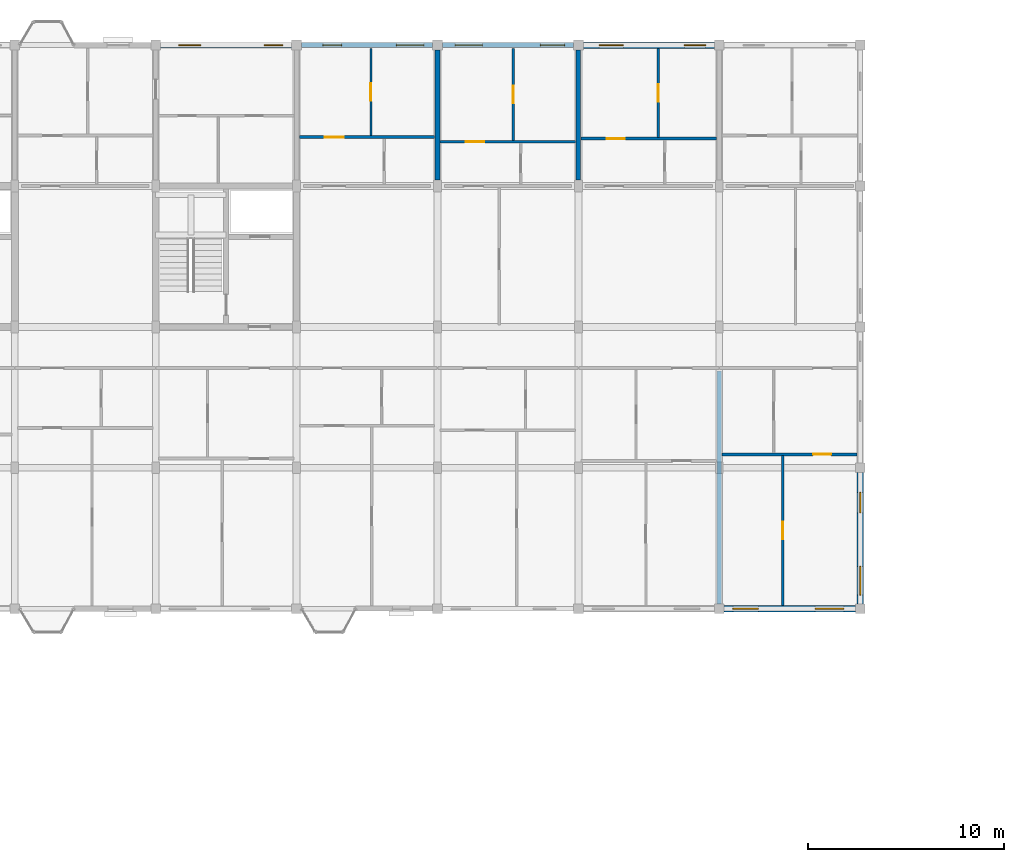
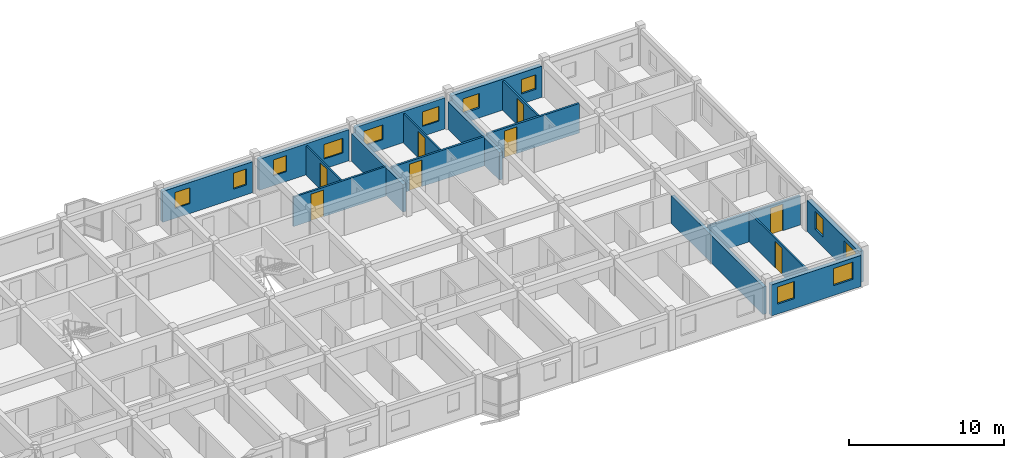
# One storey, part 64 of 70: 17 walls, 12 windows, 8 doors, 20 openings.
"""IFC4 building model written with IfcOpenShell, lengths in metres."""

from ifc_helpers import new_model, si_unit, direction, frame, frame_2d, origin, place, context, subcontext, project, spatial, rectangle, extrude, material, layer, layer_set, type_object, element, fill, save


model = new_model("IFC4")

# Units and contexts
model_context = context("Model", 3, precision=1e-05, world=origin(), true_north=direction((0.0, 1.0)))
body_context = subcontext(model_context, "Body", "Model", "MODEL_VIEW")
ifc_project = project(units=[si_unit("LENGTHUNIT", "METRE"), si_unit("AREAUNIT", "SQUARE_METRE"), si_unit("VOLUMEUNIT", "CUBIC_METRE"), si_unit("PLANEANGLEUNIT", "RADIAN"), si_unit("MASSUNIT", "GRAM", prefix="KILO"), si_unit("THERMODYNAMICTEMPERATUREUNIT", "KELVIN"), si_unit("POWERUNIT", "WATT")], contexts=[model_context])

# Site, building, storey
site_placement = place(None, origin())
site = spatial("IfcSite", under=ifc_project, at=site_placement, CompositionType="ELEMENT")
building_placement = place(site_placement, origin())
building = spatial("IfcBuilding", under=site, at=building_placement, Name="Tavuni Mirador Residences", CompositionType="ELEMENT")
storey_placement = place(building_placement, frame((0.0, 0.0, 23.39990234375)))
storey = spatial("IfcBuildingStorey", under=building, at=storey_placement, Name="L07", CompositionType="ELEMENT", Elevation=23.39990234375)

# Wall, openings, windows
ifc_material_1 = material(Name="Precast concrete C40/50", Category="concrete")
ifc_layer_1 = layer(ifc_material_1, 0.330078125, Name="Precast concrete C40/50", Category="concrete")
ifc_layer_set_1 = layer_set([ifc_layer_1], Name="Precast concrete C40/50")
wall_type_1 = type_object("IfcWallType", Name="WT-EXT-COR330", PredefinedType="SOLIDWALL", material=ifc_layer_set_1)
wall_1_placement = place(storey_placement, frame((75.60009765625, 144.25, 0.0), z_axis=(0.0, 0.0, 1.0), x_axis=(0.0, 1.0, 0.0)))
wall_1 = element("IfcWall", 1, at=wall_1_placement, inside=storey, type_object=wall_type_1, Name="EW-BLK-C-L07-E00", PredefinedType="SOLIDWALL", context=body_context, shape_type="SweptSolid", body=[
    extrude(rectangle(XDim=6.699951171875, YDim=0.330078125, at=frame_2d((3.35009765625, 0.0))), origin(), (0.0, 0.0, 1.0), 2.455078125),
])
opening_1_placement = place(wall_1_placement, frame((0.449951171875, 0.0, 0.780029296875)))
opening_1 = element("IfcOpeningElement", 2, at=opening_1_placement, cuts=wall_1, Name="Opening WN-24", PredefinedType="OPENING", context=body_context, shape_type="SweptSolid", body=[
    extrude(rectangle(XDim=1.4599609375, YDim=1.360107421875, at=frame_2d((0.72998046875, 0.68017578125))), frame((0.0, 0.175048828125, 0.0), z_axis=(0.0, -1.0, 0.0), x_axis=(1.0, 0.0, 0.0)), (0.0, 0.0, 1.0), 0.35009765625),
])
opening_2_placement = place(wall_1_placement, frame((4.64990234375, 0.0, 0.780029296875)))
opening_2 = element("IfcOpeningElement", 3, at=opening_2_placement, cuts=wall_1, Name="Opening WN-26", PredefinedType="OPENING", context=body_context, shape_type="SweptSolid", body=[
    extrude(rectangle(XDim=1.050048828125, YDim=1.43994140625, at=frame_2d((0.52490234375, 0.719970703125))), frame((0.0, 0.175048828125, 0.0), z_axis=(0.0, -1.0, 0.0), x_axis=(1.0, 0.0, 0.0)), (0.0, 0.0, 1.0), 0.35009765625),
])
ifc_material_2 = material(Name="Laminated solar-control glass", Category="glass")
window_type_1 = type_object("IfcWindowType", Name="WNT-24", PartitioningType="SINGLE_PANEL", PredefinedType="WINDOW", material=ifc_material_2)
window_1_placement = place(opening_1_placement, origin())
window_1 = element("IfcWindow", 4, at=window_1_placement, inside=storey, type_object=window_type_1, Name="WIN-1156", OverallHeight=1.360107421875, OverallWidth=1.4599609375, PartitioningType="SINGLE_PANEL", PredefinedType="WINDOW", context=body_context, shape_type="SweptSolid", body=[
    extrude(rectangle(XDim=1.4599609375, YDim=1.360107421875, at=frame_2d((0.72998046875, 0.68017578125))), frame((0.0, 0.030029296875, 0.0), z_axis=(0.0, -1.0, 0.0), x_axis=(1.0, 0.0, 0.0)), (0.0, 0.0, 1.0), 0.06005859375),
])
fill(opening_1, window_1)
window_type_2 = type_object("IfcWindowType", Name="WNT-26", PartitioningType="SINGLE_PANEL", PredefinedType="WINDOW", material=ifc_material_2)
window_2_placement = place(opening_2_placement, origin())
window_2 = element("IfcWindow", 5, at=window_2_placement, inside=storey, type_object=window_type_2, Name="WIN-1157", OverallHeight=1.43994140625, OverallWidth=1.050048828125, PartitioningType="SINGLE_PANEL", PredefinedType="WINDOW", context=body_context, shape_type="SweptSolid", body=[
    extrude(rectangle(XDim=1.050048828125, YDim=1.43994140625, at=frame_2d((0.52490234375, 0.719970703125))), frame((0.0, 0.030029296875, 0.0), z_axis=(0.0, -1.0, 0.0), x_axis=(1.0, 0.0, 0.0)), (0.0, 0.0, 1.0), 0.06005859375),
])
fill(opening_2, window_2)

wall_2_placement = place(storey_placement, frame((68.14990234375, 172.800048828125, 0.0), z_axis=(0.0, 0.0, 1.0), x_axis=(-1.0, 0.0, 0.0)))
wall_2 = element("IfcWall", 6, at=wall_2_placement, inside=storey, type_object=wall_type_1, Name="EW-BLK-C-L07-N07", PredefinedType="SOLIDWALL", context=body_context, shape_type="SweptSolid", body=[
    extrude(rectangle(XDim=6.699951171875, YDim=0.330078125, at=frame_2d((3.35009765625, 0.0))), origin(), (0.0, 0.0, 1.0), 2.455078125),
])
opening_3_placement = place(wall_2_placement, frame((0.449951171875, 0.0, 0.780029296875)))
opening_3 = element("IfcOpeningElement", 7, at=opening_3_placement, cuts=wall_2, Name="Opening WN-04", PredefinedType="OPENING", context=body_context, shape_type="SweptSolid", body=[
    extrude(rectangle(XDim=1.080078125, YDim=1.14990234375, at=frame_2d((0.5400390625, 0.574951171875))), frame((0.0, 0.175048828125, 0.0), z_axis=(0.0, -1.0, 0.0), x_axis=(1.0, 0.0, 0.0)), (0.0, 0.0, 1.0), 0.35009765625),
])
opening_4_placement = place(wall_2_placement, frame((4.64990234375, 0.0, 0.780029296875)))
opening_4 = element("IfcOpeningElement", 8, at=opening_4_placement, cuts=wall_2, Name="Opening WN-06", PredefinedType="OPENING", context=body_context, shape_type="SweptSolid", body=[
    extrude(rectangle(XDim=1.239990234375, YDim=1.14990234375, at=frame_2d((0.6201171875, 0.574951171875))), frame((0.0, 0.175048828125, 0.0), z_axis=(0.0, -1.0, 0.0), x_axis=(1.0, 0.0, 0.0)), (0.0, 0.0, 1.0), 0.35009765625),
])
window_type_3 = type_object("IfcWindowType", Name="WNT-04", PartitioningType="SINGLE_PANEL", PredefinedType="WINDOW", material=ifc_material_2)
window_3_placement = place(opening_3_placement, origin())
window_3 = element("IfcWindow", 9, at=window_3_placement, inside=storey, type_object=window_type_3, Name="WIN-1166", OverallHeight=1.14990234375, OverallWidth=1.080078125, PartitioningType="SINGLE_PANEL", PredefinedType="WINDOW", context=body_context, shape_type="SweptSolid", body=[
    extrude(rectangle(XDim=1.080078125, YDim=1.14990234375, at=frame_2d((0.5400390625, 0.574951171875))), frame((0.0, 0.030029296875, 0.0), z_axis=(0.0, -1.0, 0.0), x_axis=(1.0, 0.0, 0.0)), (0.0, 0.0, 1.0), 0.06005859375),
])
fill(opening_3, window_3)
window_type_4 = type_object("IfcWindowType", Name="WNT-06", PartitioningType="SINGLE_PANEL", PredefinedType="WINDOW", material=ifc_material_2)
window_4_placement = place(opening_4_placement, origin())
window_4 = element("IfcWindow", 10, at=window_4_placement, inside=storey, type_object=window_type_4, Name="WIN-1167", OverallHeight=1.14990234375, OverallWidth=1.239990234375, PartitioningType="SINGLE_PANEL", PredefinedType="WINDOW", context=body_context, shape_type="SweptSolid", body=[
    extrude(rectangle(XDim=1.239990234375, YDim=1.14990234375, at=frame_2d((0.6201171875, 0.574951171875))), frame((0.0, 0.030029296875, 0.0), z_axis=(0.0, -1.0, 0.0), x_axis=(1.0, 0.0, 0.0)), (0.0, 0.0, 1.0), 0.06005859375),
])
fill(opening_4, window_4)

ifc_material_3 = material(Name="Sgraffito lime-rendered precast concrete C40/50", Category="concrete")
ifc_layer_2 = layer(ifc_material_3, 0.2451171875, Name="Sgraffito lime-rendered precast concrete C40/50", Category="concrete")
ifc_layer_set_2 = layer_set([ifc_layer_2], Name="Sgraffito lime-rendered precast concrete C40/50")
wall_type_2 = type_object("IfcWallType", Name="WT-EXT-PC245", PredefinedType="SOLIDWALL", material=ifc_layer_set_2)
wall_3_placement = place(storey_placement, frame((60.949951171875, 172.800048828125, 0.0), z_axis=(0.0, 0.0, 1.0), x_axis=(-1.0, 0.0, 0.0)))
wall_3 = element("IfcWall", 11, at=wall_3_placement, inside=storey, type_object=wall_type_2, Name="EW-BLK-C-L07-N06", PredefinedType="SOLIDWALL", context=body_context, shape_type="SweptSolid", body=[
    extrude(rectangle(XDim=6.699951171875, YDim=0.2451171875, at=frame_2d((3.35009765625, 0.0))), origin(), (0.0, 0.0, 1.0), 2.455078125),
])
opening_5_placement = place(wall_3_placement, frame((0.449951171875, 0.0, 0.780029296875)))
opening_5 = element("IfcOpeningElement", 12, at=opening_5_placement, cuts=wall_3, Name="Opening WN-06", PredefinedType="OPENING", context=body_context, shape_type="SweptSolid", body=[
    extrude(rectangle(XDim=1.239990234375, YDim=1.14990234375, at=frame_2d((0.6201171875, 0.574951171875))), frame((0.0, 0.132568359375, 0.0), z_axis=(0.0, -1.0, 0.0), x_axis=(1.0, 0.0, 0.0)), (0.0, 0.0, 1.0), 0.26513671875),
])
opening_6_placement = place(wall_3_placement, frame((4.64990234375, 0.0, 0.780029296875)))
opening_6 = element("IfcOpeningElement", 13, at=opening_6_placement, cuts=wall_3, Name="Opening WN-08", PredefinedType="OPENING", context=body_context, shape_type="SweptSolid", body=[
    extrude(rectangle(XDim=1.39990234375, YDim=1.14990234375, at=frame_2d((0.699951171875, 0.574951171875))), frame((0.0, 0.132568359375, 0.0), z_axis=(0.0, -1.0, 0.0), x_axis=(1.0, 0.0, 0.0)), (0.0, 0.0, 1.0), 0.26513671875),
])
window_5_placement = place(opening_5_placement, origin())
window_5 = element("IfcWindow", 14, at=window_5_placement, inside=storey, type_object=window_type_4, Name="WIN-1168", OverallHeight=1.14990234375, OverallWidth=1.239990234375, PartitioningType="SINGLE_PANEL", PredefinedType="WINDOW", context=body_context, shape_type="SweptSolid", body=[
    extrude(rectangle(XDim=1.239990234375, YDim=1.14990234375, at=frame_2d((0.6201171875, 0.574951171875))), frame((0.0, 0.030029296875, 0.0), z_axis=(0.0, -1.0, 0.0), x_axis=(1.0, 0.0, 0.0)), (0.0, 0.0, 1.0), 0.06005859375),
])
fill(opening_5, window_5)
window_type_5 = type_object("IfcWindowType", Name="WNT-08", PartitioningType="SINGLE_PANEL", PredefinedType="WINDOW", material=ifc_material_2)
window_6_placement = place(opening_6_placement, origin())
window_6 = element("IfcWindow", 15, at=window_6_placement, inside=storey, type_object=window_type_5, Name="WIN-1169", OverallHeight=1.14990234375, OverallWidth=1.39990234375, PartitioningType="SINGLE_PANEL", PredefinedType="WINDOW", context=body_context, shape_type="SweptSolid", body=[
    extrude(rectangle(XDim=1.39990234375, YDim=1.14990234375, at=frame_2d((0.699951171875, 0.574951171875))), frame((0.0, 0.030029296875, 0.0), z_axis=(0.0, -1.0, 0.0), x_axis=(1.0, 0.0, 0.0)), (0.0, 0.0, 1.0), 0.06005859375),
])
fill(opening_6, window_6)

ifc_layer_3 = layer(ifc_material_3, 0.2548828125, Name="Sgraffito lime-rendered precast concrete C40/50", Category="concrete")
ifc_layer_set_3 = layer_set([ifc_layer_3], Name="Sgraffito lime-rendered precast concrete C40/50")
wall_type_3 = type_object("IfcWallType", Name="WT-EXT-PC255", PredefinedType="SOLIDWALL", material=ifc_layer_set_3)
wall_4_placement = place(storey_placement, frame((53.75, 172.800048828125, 0.0), z_axis=(0.0, 0.0, 1.0), x_axis=(-1.0, 0.0, 0.0)))
wall_4 = element("IfcWall", 16, at=wall_4_placement, inside=storey, type_object=wall_type_3, Name="EW-BLK-C-L07-N05", PredefinedType="SOLIDWALL", context=body_context, shape_type="SweptSolid", body=[
    extrude(rectangle(XDim=6.699951171875, YDim=0.2548828125, at=frame_2d((3.35009765625, 0.0))), origin(), (0.0, 0.0, 1.0), 2.455078125),
])
opening_7_placement = place(wall_4_placement, frame((0.449951171875, 0.0, 0.780029296875)))
opening_7 = element("IfcOpeningElement", 17, at=opening_7_placement, cuts=wall_4, Name="Opening WN-08", PredefinedType="OPENING", context=body_context, shape_type="SweptSolid", body=[
    extrude(rectangle(XDim=1.39990234375, YDim=1.14990234375, at=frame_2d((0.699951171875, 0.574951171875))), frame((0.0, 0.137451171875, 0.0), z_axis=(0.0, -1.0, 0.0), x_axis=(1.0, 0.0, 0.0)), (0.0, 0.0, 1.0), 0.27490234375),
])
opening_8_placement = place(wall_4_placement, frame((4.64990234375, 0.0, 0.780029296875)))
opening_8 = element("IfcOpeningElement", 18, at=opening_8_placement, cuts=wall_4, Name="Opening WN-10", PredefinedType="OPENING", context=body_context, shape_type="SweptSolid", body=[
    extrude(rectangle(XDim=0.9599609375, YDim=1.260009765625, at=frame_2d((0.47998046875, 0.6298828125))), frame((0.0, 0.137451171875, 0.0), z_axis=(0.0, -1.0, 0.0), x_axis=(1.0, 0.0, 0.0)), (0.0, 0.0, 1.0), 0.27490234375),
])
window_7_placement = place(opening_7_placement, origin())
window_7 = element("IfcWindow", 19, at=window_7_placement, inside=storey, type_object=window_type_5, Name="WIN-1170", OverallHeight=1.14990234375, OverallWidth=1.39990234375, PartitioningType="SINGLE_PANEL", PredefinedType="WINDOW", context=body_context, shape_type="SweptSolid", body=[
    extrude(rectangle(XDim=1.39990234375, YDim=1.14990234375, at=frame_2d((0.699951171875, 0.574951171875))), frame((0.0, 0.030029296875, 0.0), z_axis=(0.0, -1.0, 0.0), x_axis=(1.0, 0.0, 0.0)), (0.0, 0.0, 1.0), 0.06005859375),
])
fill(opening_7, window_7)
window_type_6 = type_object("IfcWindowType", Name="WNT-10", PartitioningType="SINGLE_PANEL", PredefinedType="WINDOW", material=ifc_material_2)
window_8_placement = place(opening_8_placement, origin())
window_8 = element("IfcWindow", 20, at=window_8_placement, inside=storey, type_object=window_type_6, Name="WIN-1171", OverallHeight=1.260009765625, OverallWidth=0.9599609375, PartitioningType="SINGLE_PANEL", PredefinedType="WINDOW", context=body_context, shape_type="SweptSolid", body=[
    extrude(rectangle(XDim=0.9599609375, YDim=1.260009765625, at=frame_2d((0.47998046875, 0.6298828125))), frame((0.0, 0.030029296875, 0.0), z_axis=(0.0, -1.0, 0.0), x_axis=(1.0, 0.0, 0.0)), (0.0, 0.0, 1.0), 0.06005859375),
])
fill(opening_8, window_8)

ifc_layer_4 = layer(ifc_material_3, 0.27490234375, Name="Sgraffito lime-rendered precast concrete C40/50", Category="concrete")
ifc_layer_set_4 = layer_set([ifc_layer_4], Name="Sgraffito lime-rendered precast concrete C40/50")
wall_type_4 = type_object("IfcWallType", Name="WT-EXT-PC275", PredefinedType="SOLIDWALL", material=ifc_layer_set_4)
wall_5_placement = place(storey_placement, frame((46.550048828125, 172.800048828125, 0.0), z_axis=(0.0, 0.0, 1.0), x_axis=(-1.0, 0.0, 0.0)))
wall_5 = element("IfcWall", 21, at=wall_5_placement, inside=storey, type_object=wall_type_4, Name="EW-BLK-C-L07-N04", PredefinedType="SOLIDWALL", context=body_context, shape_type="SweptSolid", body=[
    extrude(rectangle(XDim=6.699951171875, YDim=0.27490234375, at=frame_2d((3.35009765625, 0.0))), origin(), (0.0, 0.0, 1.0), 2.455078125),
])
opening_9_placement = place(wall_5_placement, frame((0.449951171875, 0.0, 0.780029296875)))
opening_9 = element("IfcOpeningElement", 22, at=opening_9_placement, cuts=wall_5, Name="Opening WN-10", PredefinedType="OPENING", context=body_context, shape_type="SweptSolid", body=[
    extrude(rectangle(XDim=0.9599609375, YDim=1.260009765625, at=frame_2d((0.47998046875, 0.6298828125))), frame((0.0, 0.1474609375, 0.0), z_axis=(0.0, -1.0, 0.0), x_axis=(1.0, 0.0, 0.0)), (0.0, 0.0, 1.0), 0.294921875),
])
opening_10_placement = place(wall_5_placement, frame((4.64990234375, 0.0, 0.780029296875)))
opening_10 = element("IfcOpeningElement", 23, at=opening_10_placement, cuts=wall_5, Name="Opening WN-12", PredefinedType="OPENING", context=body_context, shape_type="SweptSolid", body=[
    extrude(rectangle(XDim=1.1201171875, YDim=1.260009765625, at=frame_2d((0.56005859375, 0.6298828125))), frame((0.0, 0.1474609375, 0.0), z_axis=(0.0, -1.0, 0.0), x_axis=(1.0, 0.0, 0.0)), (0.0, 0.0, 1.0), 0.294921875),
])
window_9_placement = place(opening_9_placement, origin())
window_9 = element("IfcWindow", 24, at=window_9_placement, inside=storey, type_object=window_type_6, Name="WIN-1172", OverallHeight=1.260009765625, OverallWidth=0.9599609375, PartitioningType="SINGLE_PANEL", PredefinedType="WINDOW", context=body_context, shape_type="SweptSolid", body=[
    extrude(rectangle(XDim=0.9599609375, YDim=1.260009765625, at=frame_2d((0.47998046875, 0.6298828125))), frame((0.0, 0.030029296875, 0.0), z_axis=(0.0, -1.0, 0.0), x_axis=(1.0, 0.0, 0.0)), (0.0, 0.0, 1.0), 0.06005859375),
])
fill(opening_9, window_9)
window_type_7 = type_object("IfcWindowType", Name="WNT-12", PartitioningType="SINGLE_PANEL", PredefinedType="WINDOW", material=ifc_material_2)
window_10_placement = place(opening_10_placement, origin())
window_10 = element("IfcWindow", 25, at=window_10_placement, inside=storey, type_object=window_type_7, Name="WIN-1173", OverallHeight=1.260009765625, OverallWidth=1.1201171875, PartitioningType="SINGLE_PANEL", PredefinedType="WINDOW", context=body_context, shape_type="SweptSolid", body=[
    extrude(rectangle(XDim=1.1201171875, YDim=1.260009765625, at=frame_2d((0.56005859375, 0.6298828125))), frame((0.0, 0.030029296875, 0.0), z_axis=(0.0, -1.0, 0.0), x_axis=(1.0, 0.0, 0.0)), (0.0, 0.0, 1.0), 0.06005859375),
])
fill(opening_10, window_10)

ifc_layer_5 = layer(ifc_material_3, 0.31494140625, Name="Sgraffito lime-rendered precast concrete C40/50", Category="concrete")
ifc_layer_set_5 = layer_set([ifc_layer_5], Name="Sgraffito lime-rendered precast concrete C40/50")
wall_type_5 = type_object("IfcWallType", Name="WT-EXT-PC315", PredefinedType="SOLIDWALL", material=ifc_layer_set_5)
wall_6_placement = place(storey_placement, frame((68.64990234375, 144.0, 0.0), z_axis=(0.0, 0.0, 1.0), x_axis=(1.0, 0.0, 0.0)))
wall_6 = element("IfcWall", 26, at=wall_6_placement, inside=storey, type_object=wall_type_5, Name="EW-BLK-C-L07-S08", PredefinedType="SOLIDWALL", context=body_context, shape_type="SweptSolid", body=[
    extrude(rectangle(XDim=6.7001953125, YDim=0.31494140625, at=frame_2d((3.35009765625, 0.0))), origin(), (0.0, 0.0, 1.0), 2.455078125),
])
opening_11_placement = place(wall_6_placement, frame((0.449951171875, 0.0, 0.780029296875)))
opening_11 = element("IfcOpeningElement", 27, at=opening_11_placement, cuts=wall_6, Name="Opening WN-22", PredefinedType="OPENING", context=body_context, shape_type="SweptSolid", body=[
    extrude(rectangle(XDim=1.300048828125, YDim=1.360107421875, at=frame_2d((0.64990234375, 0.68017578125))), frame((0.0, 0.16748046875, 0.0), z_axis=(0.0, -1.0, 0.0), x_axis=(1.0, 0.0, 0.0)), (0.0, 0.0, 1.0), 0.3349609375),
])
opening_12_placement = place(wall_6_placement, frame((4.64990234375, 0.0, 0.780029296875)))
opening_12 = element("IfcOpeningElement", 28, at=opening_12_placement, cuts=wall_6, Name="Opening WN-24", PredefinedType="OPENING", context=body_context, shape_type="SweptSolid", body=[
    extrude(rectangle(XDim=1.4599609375, YDim=1.360107421875, at=frame_2d((0.72998046875, 0.68017578125))), frame((0.0, 0.16748046875, 0.0), z_axis=(0.0, -1.0, 0.0), x_axis=(1.0, 0.0, 0.0)), (0.0, 0.0, 1.0), 0.3349609375),
])
window_type_8 = type_object("IfcWindowType", Name="WNT-22", PartitioningType="SINGLE_PANEL", PredefinedType="WINDOW", material=ifc_material_2)
window_11_placement = place(opening_11_placement, origin())
window_11 = element("IfcWindow", 29, at=window_11_placement, inside=storey, type_object=window_type_8, Name="WIN-1154", OverallHeight=1.360107421875, OverallWidth=1.300048828125, PartitioningType="SINGLE_PANEL", PredefinedType="WINDOW", context=body_context, shape_type="SweptSolid", body=[
    extrude(rectangle(XDim=1.300048828125, YDim=1.360107421875, at=frame_2d((0.64990234375, 0.68017578125))), frame((0.0, 0.030029296875, 0.0), z_axis=(0.0, -1.0, 0.0), x_axis=(1.0, 0.0, 0.0)), (0.0, 0.0, 1.0), 0.06005859375),
])
fill(opening_11, window_11)
window_12_placement = place(opening_12_placement, origin())
window_12 = element("IfcWindow", 30, at=window_12_placement, inside=storey, type_object=window_type_1, Name="WIN-1155", OverallHeight=1.360107421875, OverallWidth=1.4599609375, PartitioningType="SINGLE_PANEL", PredefinedType="WINDOW", context=body_context, shape_type="SweptSolid", body=[
    extrude(rectangle(XDim=1.4599609375, YDim=1.360107421875, at=frame_2d((0.72998046875, 0.68017578125))), frame((0.0, 0.030029296875, 0.0), z_axis=(0.0, -1.0, 0.0), x_axis=(1.0, 0.0, 0.0)), (0.0, 0.0, 1.0), 0.06005859375),
])
fill(opening_12, window_12)

# Wall, opening, door
ifc_material_4 = material(Name="Acoustic gypsum and concrete block partition", Category="concrete")
ifc_layer_6 = layer(ifc_material_4, 0.114990234375, Name="Acoustic gypsum and concrete block partition", Category="concrete")
ifc_layer_set_6 = layer_set([ifc_layer_6], Name="Acoustic gypsum and concrete block partition")
wall_type_6 = type_object("IfcWallType", Name="WT-PART115", PredefinedType="PARTITIONING", material=ifc_layer_set_6)
wall_7_placement = place(storey_placement, frame((50.60009765625, 168.169921875, 0.0), z_axis=(0.0, 0.0, 1.0), x_axis=(0.0, 1.0, 0.0)))
wall_7 = element("IfcWall", 31, at=wall_7_placement, inside=storey, type_object=wall_type_6, Name="PW-BLK-C-L07-N05-OUT", PredefinedType="PARTITIONING", context=body_context, shape_type="SweptSolid", body=[
    extrude(rectangle(XDim=4.455078125, YDim=0.114990234375, at=frame_2d((2.2275390625, 0.0))), origin(), (0.0, 0.0, 1.0), 2.320068359375),
])
opening_13_placement = place(wall_7_placement, frame((1.777587890625, 0.0, 0.0)))
opening_13 = element("IfcOpeningElement", 32, at=opening_13_placement, cuts=wall_7, Name="Opening D-07", PredefinedType="OPENING", context=body_context, shape_type="SweptSolid", body=[
    extrude(rectangle(XDim=0.89990234375, YDim=2.10009765625, at=frame_2d((0.449951171875, 1.050048828125))), frame((0.0, 0.0673828125, 0.0), z_axis=(0.0, -1.0, 0.0), x_axis=(1.0, 0.0, 0.0)), (0.0, 0.0, 1.0), 0.135009765625),
])
ifc_material_5 = material(Name="Solid core iroko timber", Category="wood")
door_type_1 = type_object("IfcDoorType", Name="DT-BED900", OperationType="NOTDEFINED", PredefinedType="DOOR", material=ifc_material_5)
door_1_placement = place(opening_13_placement, origin())
door_1 = element("IfcDoor", 33, at=door_1_placement, inside=storey, type_object=door_type_1, Name="DR-4049", OperationType="SINGLE_SWING_RIGHT", OverallHeight=2.10009765625, OverallWidth=0.89990234375, PredefinedType="DOOR", context=body_context, shape_type="SweptSolid", body=[
    extrude(rectangle(XDim=0.89990234375, YDim=2.10009765625, at=frame_2d((0.449951171875, 1.050048828125))), frame((0.0, 0.02490234375, 0.0), z_axis=(0.0, -1.0, 0.0), x_axis=(1.0, 0.0, 0.0)), (0.0, 0.0, 1.0), 0.050048828125),
])
fill(opening_13, door_1)

ifc_layer_7 = layer(ifc_material_4, 0.125, Name="Acoustic gypsum and concrete block partition", Category="concrete")
ifc_layer_set_7 = layer_set([ifc_layer_7], Name="Acoustic gypsum and concrete block partition")
wall_type_7 = type_object("IfcWallType", Name="WT-PART125", PredefinedType="PARTITIONING", material=ifc_layer_set_7)
wall_8_placement = place(storey_placement, frame((57.860107421875, 167.929931640625, 0.0), z_axis=(0.0, 0.0, 1.0), x_axis=(0.0, 1.0, 0.0)))
wall_8 = element("IfcWall", 34, at=wall_8_placement, inside=storey, type_object=wall_type_7, Name="PW-BLK-C-L07-N06-OUT", PredefinedType="PARTITIONING", context=body_context, shape_type="SweptSolid", body=[
    extrude(rectangle(XDim=4.695068359375, YDim=0.125, at=frame_2d((2.34765625, 0.0))), origin(), (0.0, 0.0, 1.0), 2.320068359375),
])
opening_14_placement = place(wall_8_placement, frame((1.8974609375, 0.0, 0.0)))
opening_14 = element("IfcOpeningElement", 35, at=opening_14_placement, cuts=wall_8, Name="Opening D-07", PredefinedType="OPENING", context=body_context, shape_type="SweptSolid", body=[
    extrude(rectangle(XDim=0.89990234375, YDim=2.10009765625, at=frame_2d((0.449951171875, 1.050048828125))), frame((0.0, 0.072509765625, 0.0), z_axis=(0.0, -1.0, 0.0), x_axis=(1.0, 0.0, 0.0)), (0.0, 0.0, 1.0), 0.14501953125),
])
door_2_placement = place(opening_14_placement, origin())
door_2 = element("IfcDoor", 36, at=door_2_placement, inside=storey, type_object=door_type_1, Name="DR-4056", OperationType="SINGLE_SWING_RIGHT", OverallHeight=2.10009765625, OverallWidth=0.89990234375, PredefinedType="DOOR", context=body_context, shape_type="SweptSolid", body=[
    extrude(rectangle(XDim=0.89990234375, YDim=2.10009765625, at=frame_2d((0.449951171875, 1.050048828125))), frame((0.0, 0.02490234375, 0.0), z_axis=(0.0, -1.0, 0.0), x_axis=(1.0, 0.0, 0.0)), (0.0, 0.0, 1.0), 0.050048828125),
])
fill(opening_14, door_2)

wall_9_placement = place(storey_placement, frame((65.280029296875, 168.090087890625, 0.0), z_axis=(0.0, 0.0, 1.0), x_axis=(0.0, 1.0, 0.0)))
wall_9 = element("IfcWall", 37, at=wall_9_placement, inside=storey, type_object=wall_type_7, Name="PW-BLK-C-L07-N07-OUT", PredefinedType="PARTITIONING", context=body_context, shape_type="SweptSolid", body=[
    extrude(rectangle(XDim=4.534912109375, YDim=0.125, at=frame_2d((2.267578125, 0.0))), origin(), (0.0, 0.0, 1.0), 2.320068359375),
])
opening_15_placement = place(wall_9_placement, frame((1.827392578125, 0.0, 0.0)))
opening_15 = element("IfcOpeningElement", 38, at=opening_15_placement, cuts=wall_9, Name="Opening D-08", PredefinedType="OPENING", context=body_context, shape_type="SweptSolid", body=[
    extrude(rectangle(XDim=0.8798828125, YDim=2.080078125, at=frame_2d((0.43994140625, 1.0400390625))), frame((0.0, 0.072509765625, 0.0), z_axis=(0.0, -1.0, 0.0), x_axis=(1.0, 0.0, 0.0)), (0.0, 0.0, 1.0), 0.14501953125),
])
door_type_2 = type_object("IfcDoorType", Name="DT-BED880", OperationType="NOTDEFINED", PredefinedType="DOOR", material=ifc_material_5)
door_3_placement = place(opening_15_placement, origin())
door_3 = element("IfcDoor", 39, at=door_3_placement, inside=storey, type_object=door_type_2, Name="DR-4062", OperationType="SINGLE_SWING_LEFT", OverallHeight=2.080078125, OverallWidth=0.8798828125, PredefinedType="DOOR", context=body_context, shape_type="SweptSolid", body=[
    extrude(rectangle(XDim=0.8798828125, YDim=2.080078125, at=frame_2d((0.43994140625, 1.0400390625))), frame((0.0, 0.02490234375, 0.0), z_axis=(0.0, -1.0, 0.0), x_axis=(1.0, 0.0, 0.0)), (0.0, 0.0, 1.0), 0.050048828125),
])
fill(opening_15, door_3)

wall_10_placement = place(storey_placement, frame((71.64990234375, 144.175048828125, 0.0), z_axis=(0.0, 0.0, 1.0), x_axis=(0.0, 1.0, 0.0)))
wall_10 = element("IfcWall", 40, at=wall_10_placement, inside=storey, type_object=wall_type_7, Name="PW-BLK-C-L07-S08-OUT", PredefinedType="PARTITIONING", context=body_context, shape_type="SweptSolid", body=[
    extrude(rectangle(XDim=7.64501953125, YDim=0.125, at=frame_2d((3.822509765625, 0.0))), origin(), (0.0, 0.0, 1.0), 2.320068359375),
])
opening_16_placement = place(wall_10_placement, frame((3.382568359375, 0.0, 0.0)))
opening_16 = element("IfcOpeningElement", 41, at=opening_16_placement, cuts=wall_10, Name="Opening D-08", PredefinedType="OPENING", context=body_context, shape_type="SweptSolid", body=[
    extrude(rectangle(XDim=0.8798828125, YDim=2.080078125, at=frame_2d((0.43994140625, 1.0400390625))), frame((0.0, 0.072509765625, 0.0), z_axis=(0.0, -1.0, 0.0), x_axis=(1.0, 0.0, 0.0)), (0.0, 0.0, 1.0), 0.14501953125),
])
door_4_placement = place(opening_16_placement, origin())
door_4 = element("IfcDoor", 42, at=door_4_placement, inside=storey, type_object=door_type_2, Name="DR-4066", OperationType="SINGLE_SWING_LEFT", OverallHeight=2.080078125, OverallWidth=0.8798828125, PredefinedType="DOOR", context=body_context, shape_type="SweptSolid", body=[
    extrude(rectangle(XDim=0.8798828125, YDim=2.080078125, at=frame_2d((0.43994140625, 1.0400390625))), frame((0.0, 0.02490234375, 0.0), z_axis=(0.0, -1.0, 0.0), x_axis=(1.0, 0.0, 0.0)), (0.0, 0.0, 1.0), 0.050048828125),
])
fill(opening_16, door_4)

ifc_layer_8 = layer(ifc_material_4, 0.139892578125, Name="Acoustic gypsum and concrete block partition", Category="concrete")
ifc_layer_set_8 = layer_set([ifc_layer_8], Name="Acoustic gypsum and concrete block partition")
wall_type_8 = type_object("IfcWallType", Name="WT-PART140", PredefinedType="PARTITIONING", material=ifc_layer_set_8)
wall_11_placement = place(storey_placement, frame((46.93994140625, 168.10009765625, 0.0), z_axis=(0.0, 0.0, 1.0), x_axis=(1.0, 0.0, 0.0)))
wall_11 = element("IfcWall", 43, at=wall_11_placement, inside=storey, type_object=wall_type_8, Name="PW-BLK-C-L07-N05-MID", PredefinedType="PARTITIONING", context=body_context, shape_type="SweptSolid", body=[
    extrude(rectangle(XDim=6.920166015625, YDim=0.139892578125, at=frame_2d((3.4599609375, 0.0))), origin(), (0.0, 0.0, 1.0), 2.320068359375),
])
opening_17_placement = place(wall_11_placement, frame((1.31005859375, 0.0, 0.0)))
opening_17 = element("IfcOpeningElement", 44, at=opening_17_placement, cuts=wall_11, Name="Opening D-05", PredefinedType="OPENING", context=body_context, shape_type="SweptSolid", body=[
    extrude(rectangle(XDim=0.949951171875, YDim=2.10009765625, at=frame_2d((0.47509765625, 1.050048828125))), frame((0.0, 0.080078125, 0.0), z_axis=(0.0, -1.0, 0.0), x_axis=(1.0, 0.0, 0.0)), (0.0, 0.0, 1.0), 0.159912109375),
])
door_type_3 = type_object("IfcDoorType", Name="DT-INT950", OperationType="NOTDEFINED", PredefinedType="DOOR", material=ifc_material_5)
door_5_placement = place(opening_17_placement, origin())
door_5 = element("IfcDoor", 45, at=door_5_placement, inside=storey, type_object=door_type_3, Name="DR-4051", OperationType="SINGLE_SWING_LEFT", OverallHeight=2.10009765625, OverallWidth=0.949951171875, PredefinedType="DOOR", context=body_context, shape_type="SweptSolid", body=[
    extrude(rectangle(XDim=0.949951171875, YDim=2.10009765625, at=frame_2d((0.47509765625, 1.050048828125))), frame((0.0, 0.02490234375, 0.0), z_axis=(0.0, -1.0, 0.0), x_axis=(1.0, 0.0, 0.0)), (0.0, 0.0, 1.0), 0.050048828125),
])
fill(opening_17, door_5)

ifc_layer_9 = layer(ifc_material_4, 0.14990234375, Name="Acoustic gypsum and concrete block partition", Category="concrete")
ifc_layer_set_9 = layer_set([ifc_layer_9], Name="Acoustic gypsum and concrete block partition")
wall_type_9 = type_object("IfcWallType", Name="WT-PART150", PredefinedType="PARTITIONING", material=ifc_layer_set_9)
wall_12_placement = place(storey_placement, frame((54.139892578125, 167.860107421875, 0.0), z_axis=(0.0, 0.0, 1.0), x_axis=(1.0, 0.0, 0.0)))
wall_12 = element("IfcWall", 46, at=wall_12_placement, inside=storey, type_object=wall_type_9, Name="PW-BLK-C-L07-N06-MID", PredefinedType="PARTITIONING", context=body_context, shape_type="SweptSolid", body=[
    extrude(rectangle(XDim=6.920166015625, YDim=0.14990234375, at=frame_2d((3.4599609375, 0.0))), origin(), (0.0, 0.0, 1.0), 2.320068359375),
])
opening_18_placement = place(wall_12_placement, frame((1.31005859375, 0.0, 0.0)))
opening_18 = element("IfcOpeningElement", 47, at=opening_18_placement, cuts=wall_12, Name="Opening D-05", PredefinedType="OPENING", context=body_context, shape_type="SweptSolid", body=[
    extrude(rectangle(XDim=0.949951171875, YDim=2.10009765625, at=frame_2d((0.47509765625, 1.050048828125))), frame((0.0, 0.0849609375, 0.0), z_axis=(0.0, -1.0, 0.0), x_axis=(1.0, 0.0, 0.0)), (0.0, 0.0, 1.0), 0.169921875),
])
door_6_placement = place(opening_18_placement, origin())
door_6 = element("IfcDoor", 48, at=door_6_placement, inside=storey, type_object=door_type_3, Name="DR-4058", OperationType="SINGLE_SWING_LEFT", OverallHeight=2.10009765625, OverallWidth=0.949951171875, PredefinedType="DOOR", context=body_context, shape_type="SweptSolid", body=[
    extrude(rectangle(XDim=0.949951171875, YDim=2.10009765625, at=frame_2d((0.47509765625, 1.050048828125))), frame((0.0, 0.02490234375, 0.0), z_axis=(0.0, -1.0, 0.0), x_axis=(1.0, 0.0, 0.0)), (0.0, 0.0, 1.0), 0.050048828125),
])
fill(opening_18, door_6)

wall_13_placement = place(storey_placement, frame((61.340087890625, 168.02001953125, 0.0), z_axis=(0.0, 0.0, 1.0), x_axis=(1.0, 0.0, 0.0)))
wall_13 = element("IfcWall", 49, at=wall_13_placement, inside=storey, type_object=wall_type_9, Name="PW-BLK-C-L07-N07-MID", PredefinedType="PARTITIONING", context=body_context, shape_type="SweptSolid", body=[
    extrude(rectangle(XDim=6.919921875, YDim=0.14990234375, at=frame_2d((3.4599609375, 0.0))), origin(), (0.0, 0.0, 1.0), 2.320068359375),
])
opening_19_placement = place(wall_13_placement, frame((1.31005859375, 0.0, 0.0)))
opening_19 = element("IfcOpeningElement", 50, at=opening_19_placement, cuts=wall_13, Name="Opening D-06", PredefinedType="OPENING", context=body_context, shape_type="SweptSolid", body=[
    extrude(rectangle(XDim=0.919921875, YDim=2.10009765625, at=frame_2d((0.4599609375, 1.050048828125))), frame((0.0, 0.0849609375, 0.0), z_axis=(0.0, -1.0, 0.0), x_axis=(1.0, 0.0, 0.0)), (0.0, 0.0, 1.0), 0.169921875),
])
door_type_4 = type_object("IfcDoorType", Name="DT-INT920", OperationType="NOTDEFINED", PredefinedType="DOOR", material=ifc_material_5)
door_7_placement = place(opening_19_placement, origin())
door_7 = element("IfcDoor", 51, at=door_7_placement, inside=storey, type_object=door_type_4, Name="DR-4064", OperationType="SINGLE_SWING_RIGHT", OverallHeight=2.10009765625, OverallWidth=0.919921875, PredefinedType="DOOR", context=body_context, shape_type="SweptSolid", body=[
    extrude(rectangle(XDim=0.919921875, YDim=2.10009765625, at=frame_2d((0.4599609375, 1.050048828125))), frame((0.0, 0.02490234375, 0.0), z_axis=(0.0, -1.0, 0.0), x_axis=(1.0, 0.0, 0.0)), (0.0, 0.0, 1.0), 0.050048828125),
])
fill(opening_19, door_7)

wall_14_placement = place(storey_placement, frame((68.5400390625, 151.889892578125, 0.0), z_axis=(0.0, 0.0, 1.0), x_axis=(1.0, 0.0, 0.0)))
wall_14 = element("IfcWall", 52, at=wall_14_placement, inside=storey, type_object=wall_type_9, Name="PW-BLK-C-L07-S08-MID", PredefinedType="PARTITIONING", context=body_context, shape_type="SweptSolid", body=[
    extrude(rectangle(XDim=6.885009765625, YDim=0.14990234375, at=frame_2d((3.4423828125, 0.0))), origin(), (0.0, 0.0, 1.0), 2.320068359375),
])
opening_20_placement = place(wall_14_placement, frame((4.659912109375, 0.0, 0.0)))
opening_20 = element("IfcOpeningElement", 53, at=opening_20_placement, cuts=wall_14, Name="Opening D-06", PredefinedType="OPENING", context=body_context, shape_type="SweptSolid", body=[
    extrude(rectangle(XDim=0.919921875, YDim=2.10009765625, at=frame_2d((0.4599609375, 1.050048828125))), frame((0.0, 0.0849609375, 0.0), z_axis=(0.0, -1.0, 0.0), x_axis=(1.0, 0.0, 0.0)), (0.0, 0.0, 1.0), 0.169921875),
])
door_8_placement = place(opening_20_placement, origin())
door_8 = element("IfcDoor", 54, at=door_8_placement, inside=storey, type_object=door_type_4, Name="DR-4068", OperationType="SINGLE_SWING_RIGHT", OverallHeight=2.10009765625, OverallWidth=0.919921875, PredefinedType="DOOR", context=body_context, shape_type="SweptSolid", body=[
    extrude(rectangle(XDim=0.919921875, YDim=2.10009765625, at=frame_2d((0.4599609375, 1.050048828125))), frame((0.0, 0.02490234375, 0.0), z_axis=(0.0, -1.0, 0.0), x_axis=(1.0, 0.0, 0.0)), (0.0, 0.0, 1.0), 0.050048828125),
])
fill(opening_20, door_8)

# Walls
ifc_layer_10 = layer(ifc_material_1, 0.235107421875, Name="Precast concrete C40/50", Category="concrete")
ifc_layer_set_10 = layer_set([ifc_layer_10], Name="Precast concrete C40/50")
wall_type_10 = type_object("IfcWallType", Name="WT-XW235", PredefinedType="SOLIDWALL", material=ifc_layer_set_10)
for number, where, z_axis, x_axis, name in (
    (55, (54.0, 165.89990234375, 0.0), (0.0, 0.0, 1.0), (0.0, 1.0, 0.0), "XW-BLK-C-L07-N-06"),
    (56, (61.199951171875, 165.89990234375, 0.0), (0.0, 0.0, 1.0), (0.0, 1.0, 0.0), "XW-BLK-C-L07-N-07"),
):
    element("IfcWall", number, at=place(storey_placement, frame(where, z_axis=z_axis, x_axis=x_axis)), inside=storey, type_object=wall_type_10, Name=name, PredefinedType="SOLIDWALL", context=body_context, shape_type="SweptSolid", body=[
        extrude(rectangle(XDim=6.650146484375, YDim=0.235107421875, at=frame_2d((3.3251953125, 0.0))), origin(), (0.0, 0.0, 1.0), 2.18505859375),
    ])
wall_15_placement = place(storey_placement, frame((68.39990234375, 144.25, 0.0), z_axis=(0.0, 0.0, 1.0), x_axis=(0.0, 1.0, 0.0)))
element("IfcWall", 57, at=wall_15_placement, inside=storey, type_object=wall_type_10, Name="XW-BLK-C-L07-S-08", PredefinedType="SOLIDWALL", context=body_context, shape_type="SweptSolid", body=[
    extrude(rectangle(XDim=11.89990234375, YDim=0.235107421875, at=frame_2d((5.949951171875, 0.0))), origin(), (0.0, 0.0, 1.0), 2.18505859375),
])

save(model, "model.ifc")
